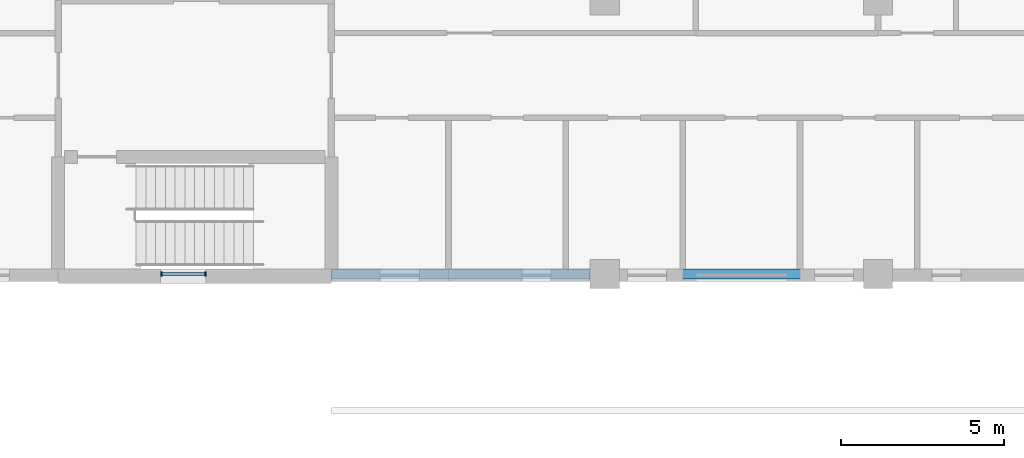
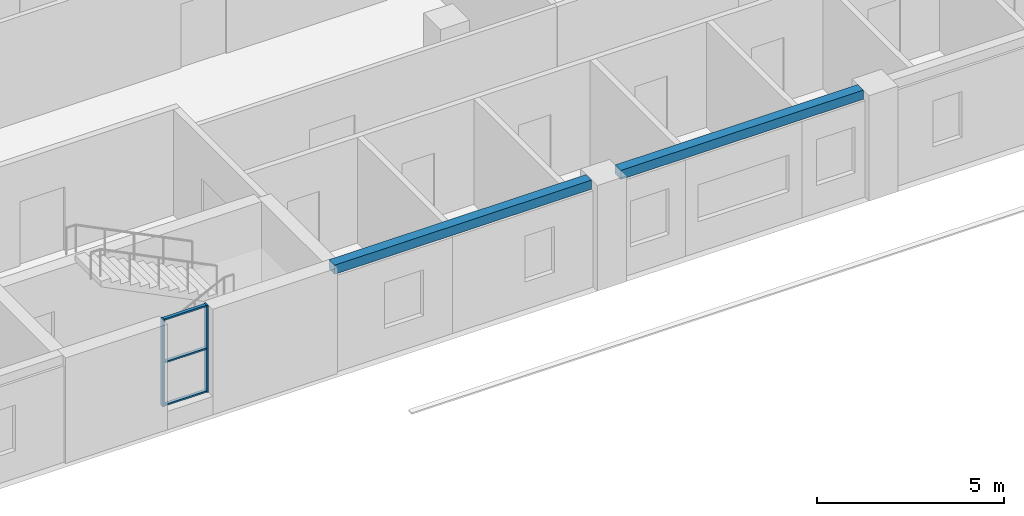
# One storey, part 23 of 94: 5 members, 2 beams, 1 element without a shape of its own.
"""IFC4 building model written with IfcOpenShell, lengths in metres."""

from ifc_helpers import new_model, si_unit, direction, frame, origin, origin_2d, place, context, subcontext, project, spatial, rectangle, extrude, material, material_profile, profile_set, type_object, element, aggregate, save


model = new_model("IFC4")

# Units and contexts
model_context = context("Model", 3, precision=1e-05, world=origin(), true_north=direction((0.0, 1.0)))
body_context = subcontext(model_context, "Body", "Model", "MODEL_VIEW")
ifc_project = project(units=[si_unit("LENGTHUNIT", "METRE"), si_unit("AREAUNIT", "SQUARE_METRE"), si_unit("VOLUMEUNIT", "CUBIC_METRE"), si_unit("PLANEANGLEUNIT", "RADIAN"), si_unit("MASSUNIT", "GRAM", prefix="KILO")], contexts=[model_context])

# Site, building, storey
site_placement = place(None, origin())
site = spatial("IfcSite", under=ifc_project, at=site_placement, CompositionType="ELEMENT")
building_placement = place(site_placement, origin())
building = spatial("IfcBuilding", under=site, at=building_placement, Name="Yavir Park General Hospital", CompositionType="ELEMENT")
storey_placement = place(building_placement, frame((0.0, 0.0, 4.5)))
storey = spatial("IfcBuildingStorey", under=building, at=storey_placement, Name="L01", CompositionType="ELEMENT", Elevation=4.5)

# Beams
ifc_material_1 = material(Name="Concrete C35/45", Category="concrete")
ifc_material_profile_1 = material_profile(ifc_material_1, rectangle(XDim=0.300048828125, YDim=0.300048828125, at=origin_2d()), Name="RC300x300")
ifc_profile_set_1 = profile_set([ifc_material_profile_1], Name="Concrete C35/45")
beam_type = type_object("IfcBeamType", Name="RC BEAM 300x300 edge beam", PredefinedType="BEAM", material=ifc_profile_set_1)
beam_1_placement = place(storey_placement, frame((75.60009765625, 0.0, 3.300048828125), z_axis=(1.0, 0.0, 0.0), x_axis=(0.0, 1.0, 0.0)))
element("IfcBeam", 1, at=beam_1_placement, inside=storey, type_object=beam_type, Name="B:EDGE:L01:008", PredefinedType="BEAM", context=body_context, shape_type="SweptSolid", body=[
    extrude(rectangle(XDim=0.300048828125, YDim=0.300048828125, at=origin_2d()), origin(), (0.0, 0.0, 1.0), 7.949951171875),
])
beam_2_placement = place(storey_placement, frame((84.449951171875, 0.0, 3.300048828125), z_axis=(1.0, 0.0, 0.0), x_axis=(0.0, 1.0, 0.0)))
element("IfcBeam", 2, at=beam_2_placement, inside=storey, type_object=beam_type, Name="B:EDGE:L01:009", PredefinedType="BEAM", context=body_context, shape_type="SweptSolid", body=[
    extrude(rectangle(XDim=0.300048828125, YDim=0.300048828125, at=origin_2d()), origin(), (0.0, 0.0, 1.0), 7.5),
])

# Curtain wall, members
ifc_material_2 = material(Name="Aluminium curtain wall frame with insulated glazing", Category="aluminium")
curtain_wall_type = type_object("IfcCurtainWallType", Name="Stair light slot, podium, 2850 high, 1400 module", PredefinedType="NOTDEFINED", material=ifc_material_2)
curtain_wall_placement = place(storey_placement, origin())
curtain_wall = element("IfcCurtainWall", 3, at=curtain_wall_placement, inside=storey, type_object=curtain_wall_type, Name="CW9 L01-002", PredefinedType="NOTDEFINED")
ifc_material_3 = material(Name="Aluminium", Category="aluminium")
ifc_material_profile_2 = material_profile(ifc_material_3, rectangle(XDim=0.139892578125, YDim=0.050048828125, at=origin_2d()), Name="AL 50x140")
ifc_profile_set_2 = profile_set([ifc_material_profile_2], Name="Aluminium")
member_type_1 = type_object("IfcMemberType", Name="Stair light slot, podium, 2850 high mullion 50 x 140", PredefinedType="MULLION", material=ifc_profile_set_2)
member_1_placement = place(storey_placement, frame((70.375, 0.0, 0.60009765625), z_axis=(0.0, 0.0, 1.0), x_axis=(0.0, 1.0, 0.0)))
member_1 = element("IfcMember", 4, at=member_1_placement, type_object=member_type_1, Name="CW9 mullion 1", PredefinedType="MULLION", context=body_context, shape_type="SweptSolid", body=[
    extrude(rectangle(XDim=0.139892578125, YDim=0.050048828125, at=origin_2d()), origin(), (0.0, 0.0, 1.0), 2.849853515625),
])
member_2_placement = place(storey_placement, frame((71.72509765625, 0.0, 0.60009765625), z_axis=(0.0, 0.0, 1.0), x_axis=(0.0, 1.0, 0.0)))
member_2 = element("IfcMember", 5, at=member_2_placement, type_object=member_type_1, Name="CW9 mullion 2", PredefinedType="MULLION", context=body_context, shape_type="SweptSolid", body=[
    extrude(rectangle(XDim=0.139892578125, YDim=0.050048828125, at=origin_2d()), origin(), (0.0, 0.0, 1.0), 2.849853515625),
])
ifc_material_4 = material(Name="Aluminium", Category="aluminium")
ifc_material_profile_3 = material_profile(ifc_material_4, rectangle(XDim=0.10009765625, YDim=0.050048828125, at=origin_2d()), Name="AL 100x50")
ifc_profile_set_3 = profile_set([ifc_material_profile_3], Name="Aluminium")
member_type_2 = type_object("IfcMemberType", Name="Stair light slot, podium, 2850 high transom 50 x 100", PredefinedType="MULLION", material=ifc_profile_set_3)
member_3_placement = place(storey_placement, frame((70.39990234375, 0.0, 0.625), z_axis=(1.0, 0.0, 0.0), x_axis=(0.0, 1.0, 0.0)))
member_3 = element("IfcMember", 6, at=member_3_placement, type_object=member_type_2, Name="CW9 transom 1.1", PredefinedType="MULLION", context=body_context, shape_type="SweptSolid", body=[
    extrude(rectangle(XDim=0.10009765625, YDim=0.050048828125, at=origin_2d()), origin(), (0.0, 0.0, 1.0), 1.300048828125),
])
member_4_placement = place(storey_placement, frame((70.39990234375, 0.0, 2.02490234375), z_axis=(1.0, 0.0, 0.0), x_axis=(0.0, 1.0, 0.0)))
member_4 = element("IfcMember", 7, at=member_4_placement, type_object=member_type_2, Name="CW9 transom 1.2", PredefinedType="MULLION", context=body_context, shape_type="SweptSolid", body=[
    extrude(rectangle(XDim=0.10009765625, YDim=0.050048828125, at=origin_2d()), origin(), (0.0, 0.0, 1.0), 1.300048828125),
])
member_5_placement = place(storey_placement, frame((70.39990234375, 0.0, 3.425048828125), z_axis=(1.0, 0.0, 0.0), x_axis=(0.0, 1.0, 0.0)))
member_5 = element("IfcMember", 8, at=member_5_placement, type_object=member_type_2, Name="CW9 transom 1.3", PredefinedType="MULLION", context=body_context, shape_type="SweptSolid", body=[
    extrude(rectangle(XDim=0.10009765625, YDim=0.050048828125, at=origin_2d()), origin(), (0.0, 0.0, 1.0), 1.300048828125),
])
aggregate(curtain_wall, [member_1, member_2, member_3, member_4, member_5])

save(model, "model.ifc")
